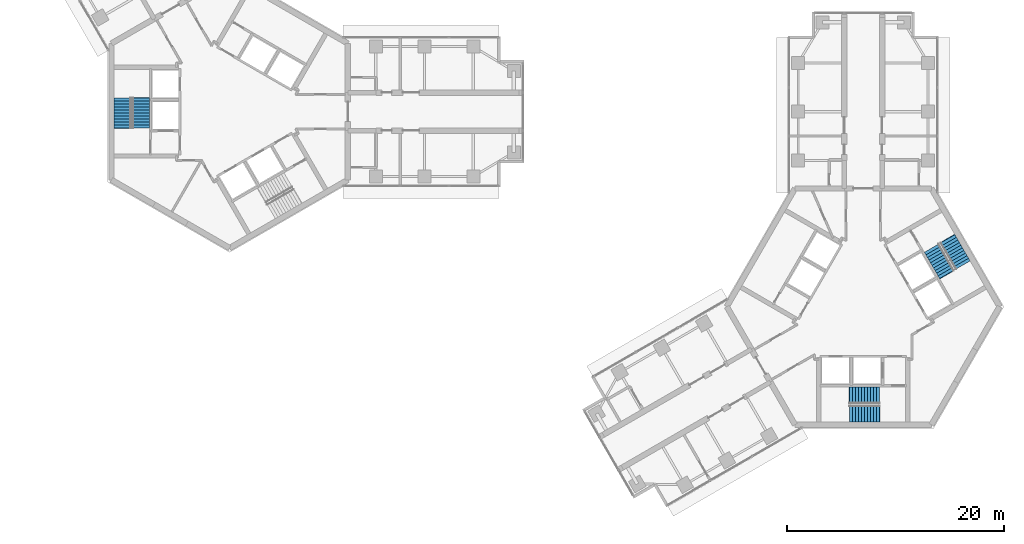
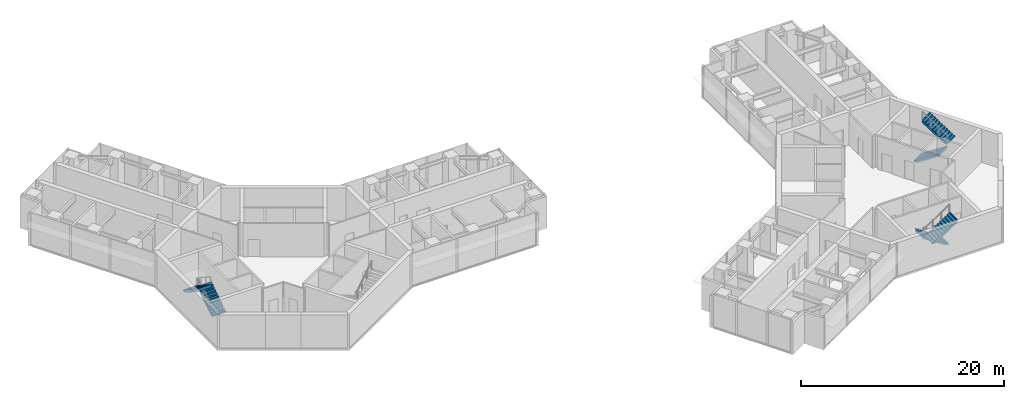
# One storey, part 16 of 17: 6 stair flights, 3 elements without a shape of their own.
"""IFC4 building model written with IfcOpenShell, lengths in metres."""

from ifc_helpers import new_model, si_unit, direction, frame, origin, place, context, subcontext, project, spatial, polyline, outline, extrude, material, type_object, element, aggregate, save


model = new_model("IFC4")

# Units and contexts
model_context = context("Model", 3, precision=1e-05, world=origin(), true_north=direction((0.0, 1.0)))
body_context = subcontext(model_context, "Body", "Model", "MODEL_VIEW")
ifc_project = project(units=[si_unit("LENGTHUNIT", "METRE"), si_unit("AREAUNIT", "SQUARE_METRE"), si_unit("VOLUMEUNIT", "CUBIC_METRE"), si_unit("PLANEANGLEUNIT", "RADIAN"), si_unit("MASSUNIT", "GRAM", prefix="KILO")], contexts=[model_context])

# Site, building, storey
site_placement = place(None, origin())
site = spatial("IfcSite", under=ifc_project, at=site_placement, CompositionType="ELEMENT")
building_placement = place(site_placement, origin())
building = spatial("IfcBuilding", under=site, at=building_placement, Name="Upepo Twin Towers", CompositionType="ELEMENT")
storey_placement = place(building_placement, frame((0.0, 0.0, 174.5)))
storey = spatial("IfcBuildingStorey", under=building, at=storey_placement, Name="L42", CompositionType="ELEMENT", Elevation=174.5)

# Stair, stair flights
ifc_material_1 = material(Name="Concrete C40/50", Category="concrete")
stair_type = type_object("IfcStairType", Name="Core stair, two flights", PredefinedType="HALF_TURN_STAIR", material=ifc_material_1)
stair_1_placement = place(storey_placement, origin())
stair_1 = element("IfcStair", 1, at=stair_1_placement, inside=storey, type_object=stair_type, Name="T1 stair S1 L42", PredefinedType="HALF_TURN_STAIR")
ifc_material_2 = material(Name="Concrete C40/50", Category="concrete")
stair_flight_type = type_object("IfcStairFlightType", Name="Stair flight 1550 RC", PredefinedType="STRAIGHT", material=ifc_material_2)
stair_flight_1_placement = place(storey_placement, frame((-8.175048828125, -1.52001953125, 0.0), z_axis=(0.0, 0.0, 1.0), x_axis=(0.0, 1.0, 0.0)))
stair_flight_1 = element("IfcStairFlight", 2, at=stair_flight_1_placement, type_object=stair_flight_type, Name="Stair S1 flight 1", NumberOfRisers=11, NumberOfTreads=10, PredefinedType="STRAIGHT", RiserHeight=0.181818182, TreadLength=0.28, context=body_context, shape_type="SweptSolid", body=[
    extrude(outline(polyline([(0.0, 0.0), (0.0, 0.181884765625), (0.280029296875, 0.181884765625), (0.280029296875, 0.363525390625), (0.56005859375, 0.363525390625), (0.56005859375, 0.54541015625), (0.840087890625, 0.54541015625), (0.840087890625, 0.727294921875), (1.1201171875, 0.727294921875), (1.1201171875, 0.9091796875), (1.39990234375, 0.9091796875), (1.39990234375, 1.0908203125), (1.679931640625, 1.0908203125), (1.679931640625, 1.272705078125), (1.9599609375, 1.272705078125), (1.9599609375, 1.45458984375), (2.239990234375, 1.45458984375), (2.239990234375, 1.636474609375), (2.52001953125, 1.636474609375), (2.52001953125, 1.818115234375), (2.800048828125, 1.818115234375), (2.800048828125, 2.0), (2.85009765625, 2.0), (2.85009765625, 1.639404296875), (0.3251953125, 0.0), (0.0, 0.0)])), frame((0.0, 0.77490234375, 0.0), z_axis=(0.0, -1.0, 0.0), x_axis=(1.0, 0.0, 0.0)), (0.0, 0.0, 1.0), 1.550048828125),
])
stair_flight_2_placement = place(storey_placement, frame((-9.88330078125, 1.280029296875, 2.0), z_axis=(0.0, 0.0, 1.0), x_axis=(0.0, -1.0, 0.0)))
stair_flight_2 = element("IfcStairFlight", 3, at=stair_flight_2_placement, type_object=stair_flight_type, Name="Stair S1 flight 2", NumberOfRisers=11, NumberOfTreads=10, PredefinedType="STRAIGHT", RiserHeight=0.181818182, TreadLength=0.28, context=body_context, shape_type="SweptSolid", body=[
    extrude(outline(polyline([(0.0, 0.0), (0.0, 0.181884765625), (0.280029296875, 0.181884765625), (0.280029296875, 0.363525390625), (0.56005859375, 0.363525390625), (0.56005859375, 0.54541015625), (0.840087890625, 0.54541015625), (0.840087890625, 0.727294921875), (1.1201171875, 0.727294921875), (1.1201171875, 0.9091796875), (1.39990234375, 0.9091796875), (1.39990234375, 1.0908203125), (1.679931640625, 1.0908203125), (1.679931640625, 1.272705078125), (1.9599609375, 1.272705078125), (1.9599609375, 1.45458984375), (2.239990234375, 1.45458984375), (2.239990234375, 1.636474609375), (2.52001953125, 1.636474609375), (2.52001953125, 1.818115234375), (2.800048828125, 1.818115234375), (2.800048828125, 2.0), (2.85009765625, 2.0), (2.85009765625, 1.639404296875), (0.3251953125, 0.0), (0.0, 0.0)])), frame((0.0, 0.77490234375, 0.0), z_axis=(0.0, -1.0, 0.0), x_axis=(1.0, 0.0, 0.0)), (0.0, 0.0, 1.0), 1.550048828125),
])
aggregate(stair_1, [stair_flight_1, stair_flight_2])

stair_2_placement = place(storey_placement, origin())
stair_2 = element("IfcStair", 4, at=stair_2_placement, inside=storey, type_object=stair_type, Name="T2 stair S1 L42", PredefinedType="HALF_TURN_STAIR")
stair_flight_3_placement = place(storey_placement, frame((60.02001953125, -26.175048828125, 0.0), z_axis=(0.0, 0.0, 1.0), x_axis=(-1.0, 0.0, 0.0)))
stair_flight_3 = element("IfcStairFlight", 5, at=stair_flight_3_placement, type_object=stair_flight_type, Name="Stair S1 flight 1", NumberOfRisers=11, NumberOfTreads=10, PredefinedType="STRAIGHT", RiserHeight=0.181818182, TreadLength=0.28, context=body_context, shape_type="SweptSolid", body=[
    extrude(outline(polyline([(0.0, 0.0), (0.0, 0.181884765625), (0.280029296875, 0.181884765625), (0.280029296875, 0.363525390625), (0.56005859375, 0.363525390625), (0.56005859375, 0.54541015625), (0.840087890625, 0.54541015625), (0.840087890625, 0.727294921875), (1.1201171875, 0.727294921875), (1.1201171875, 0.9091796875), (1.39990234375, 0.9091796875), (1.39990234375, 1.0908203125), (1.679931640625, 1.0908203125), (1.679931640625, 1.272705078125), (1.9599609375, 1.272705078125), (1.9599609375, 1.45458984375), (2.239990234375, 1.45458984375), (2.239990234375, 1.636474609375), (2.52001953125, 1.636474609375), (2.52001953125, 1.818115234375), (2.800048828125, 1.818115234375), (2.800048828125, 2.0), (2.85009765625, 2.0), (2.85009765625, 1.639404296875), (0.3251953125, 0.0), (0.0, 0.0)])), frame((0.0, 0.77490234375, 0.0), z_axis=(0.0, -1.0, 0.0), x_axis=(1.0, 0.0, 0.0)), (0.0, 0.0, 1.0), 1.550048828125),
])
stair_flight_4_placement = place(storey_placement, frame((57.219970703125, -27.88330078125, 2.0), z_axis=(0.0, 0.0, 1.0), x_axis=(1.0, 0.0, 0.0)))
stair_flight_4 = element("IfcStairFlight", 6, at=stair_flight_4_placement, type_object=stair_flight_type, Name="Stair S1 flight 2", NumberOfRisers=11, NumberOfTreads=10, PredefinedType="STRAIGHT", RiserHeight=0.181818182, TreadLength=0.28, context=body_context, shape_type="SweptSolid", body=[
    extrude(outline(polyline([(0.0, 0.0), (0.0, 0.181884765625), (0.280029296875, 0.181884765625), (0.280029296875, 0.363525390625), (0.56005859375, 0.363525390625), (0.56005859375, 0.54541015625), (0.840087890625, 0.54541015625), (0.840087890625, 0.727294921875), (1.1201171875, 0.727294921875), (1.1201171875, 0.9091796875), (1.39990234375, 0.9091796875), (1.39990234375, 1.0908203125), (1.679931640625, 1.0908203125), (1.679931640625, 1.272705078125), (1.9599609375, 1.272705078125), (1.9599609375, 1.45458984375), (2.239990234375, 1.45458984375), (2.239990234375, 1.636474609375), (2.52001953125, 1.636474609375), (2.52001953125, 1.818115234375), (2.800048828125, 1.818115234375), (2.800048828125, 2.0), (2.85009765625, 2.0), (2.85009765625, 1.639404296875), (0.3251953125, 0.0), (0.0, 0.0)])), frame((0.0, 0.77490234375, 0.0), z_axis=(0.0, -1.0, 0.0), x_axis=(1.0, 0.0, 0.0)), (0.0, 0.0, 1.0), 1.550048828125),
])
aggregate(stair_2, [stair_flight_3, stair_flight_4])

stair_3_placement = place(storey_placement, origin())
stair_3 = element("IfcStair", 7, at=stair_3_placement, inside=storey, type_object=stair_type, Name="T2 stair S2 L42", PredefinedType="HALF_TURN_STAIR")
stair_flight_5_placement = place(storey_placement, frame((64.81982421875, -12.59619140625, 0.0), z_axis=(0.0, 0.0, 1.0), x_axis=(0.5, -0.866025403784, 0.0)))
stair_flight_5 = element("IfcStairFlight", 8, at=stair_flight_5_placement, type_object=stair_flight_type, Name="Stair S2 flight 1", NumberOfRisers=11, NumberOfTreads=10, PredefinedType="STRAIGHT", RiserHeight=0.181818182, TreadLength=0.28, context=body_context, shape_type="SweptSolid", body=[
    extrude(outline(polyline([(0.0, 0.0), (0.0, 0.181884765625), (0.280029296875, 0.181884765625), (0.280029296875, 0.363525390625), (0.56005859375, 0.363525390625), (0.56005859375, 0.54541015625), (0.840087890625, 0.54541015625), (0.840087890625, 0.727294921875), (1.1201171875, 0.727294921875), (1.1201171875, 0.9091796875), (1.39990234375, 0.9091796875), (1.39990234375, 1.0908203125), (1.679931640625, 1.0908203125), (1.679931640625, 1.272705078125), (1.9599609375, 1.272705078125), (1.9599609375, 1.45458984375), (2.239990234375, 1.45458984375), (2.239990234375, 1.636474609375), (2.52001953125, 1.636474609375), (2.52001953125, 1.818115234375), (2.800048828125, 1.818115234375), (2.800048828125, 2.0), (2.85009765625, 2.0), (2.85009765625, 1.639404296875), (0.3251953125, 0.0), (0.0, 0.0)])), frame((0.0, 0.77490234375, 0.0), z_axis=(0.0, -1.0, 0.0), x_axis=(1.0, 0.0, 0.0)), (0.0, 0.0, 1.0), 1.550048828125),
])
stair_flight_6_placement = place(storey_placement, frame((67.69921875, -14.166748046875, 2.0), z_axis=(0.0, 0.0, 1.0), x_axis=(-0.5, 0.866025403784, 0.0)))
stair_flight_6 = element("IfcStairFlight", 9, at=stair_flight_6_placement, type_object=stair_flight_type, Name="Stair S2 flight 2", NumberOfRisers=11, NumberOfTreads=10, PredefinedType="STRAIGHT", RiserHeight=0.181818182, TreadLength=0.28, context=body_context, shape_type="SweptSolid", body=[
    extrude(outline(polyline([(0.0, 0.0), (0.0, 0.181884765625), (0.280029296875, 0.181884765625), (0.280029296875, 0.363525390625), (0.56005859375, 0.363525390625), (0.56005859375, 0.54541015625), (0.840087890625, 0.54541015625), (0.840087890625, 0.727294921875), (1.1201171875, 0.727294921875), (1.1201171875, 0.9091796875), (1.39990234375, 0.9091796875), (1.39990234375, 1.0908203125), (1.679931640625, 1.0908203125), (1.679931640625, 1.272705078125), (1.9599609375, 1.272705078125), (1.9599609375, 1.45458984375), (2.239990234375, 1.45458984375), (2.239990234375, 1.636474609375), (2.52001953125, 1.636474609375), (2.52001953125, 1.818115234375), (2.800048828125, 1.818115234375), (2.800048828125, 2.0), (2.85009765625, 2.0), (2.85009765625, 1.639404296875), (0.3251953125, 0.0), (0.0, 0.0)])), frame((0.0, 0.77490234375, 0.0), z_axis=(0.0, -1.0, 0.0), x_axis=(1.0, 0.0, 0.0)), (0.0, 0.0, 1.0), 1.550048828125),
])
aggregate(stair_3, [stair_flight_5, stair_flight_6])

save(model, "model.ifc")
